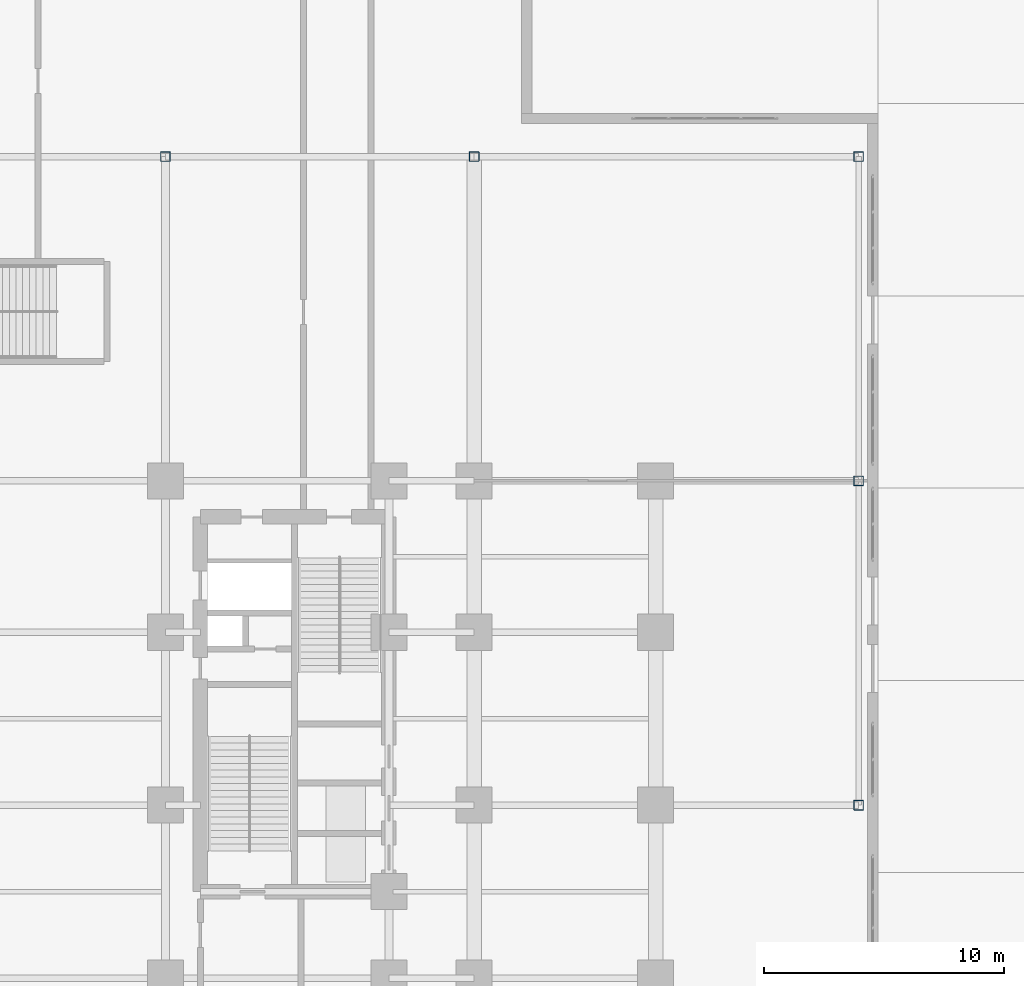
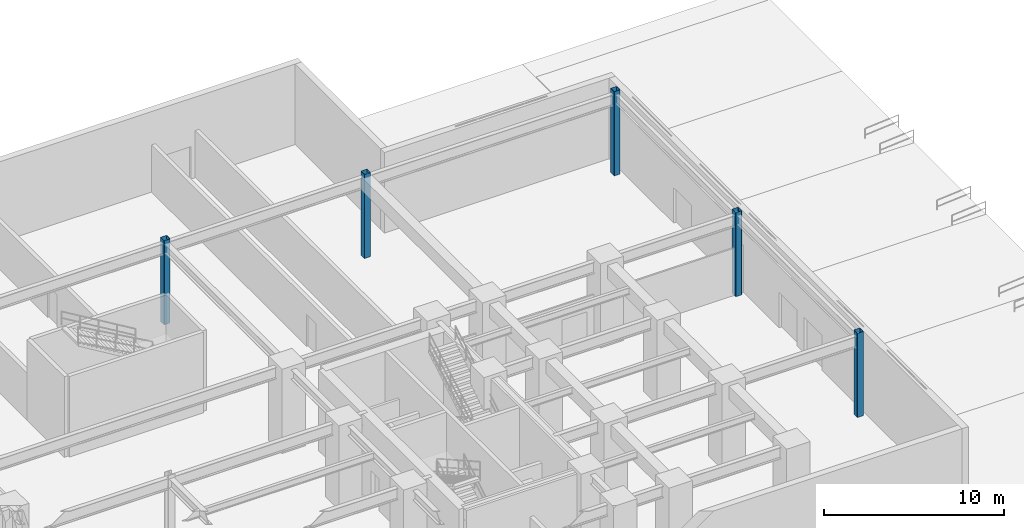
# One storey, part 2 of 18: 5 columns.
"""IFC4 building model written with IfcOpenShell, lengths in metres."""

from ifc_helpers import new_model, entity, si_unit, converted_unit, direction, frame, origin_with_axes, origin_2d_with_axis, place, context, subcontext, project, spatial, hollow_rectangle, extrude, material, material_profile, profile_set, type_object, element, save


model = new_model("IFC4")

# Units and contexts
model_context = context("Model", 3, precision=1e-05, world=origin_with_axes(), true_north=direction((0.0, 1.0)))
body_context = subcontext(model_context, "Body", "Model", "MODEL_VIEW")
ifc_project = project(units=[si_unit("LENGTHUNIT", "METRE"), si_unit("AREAUNIT", "SQUARE_METRE"), si_unit("VOLUMEUNIT", "CUBIC_METRE"), converted_unit("PLANEANGLEUNIT", "DEGREE", entity("IfcPlaneAngleMeasure", 0.017453292519943295), si_unit("PLANEANGLEUNIT", "RADIAN"), dimensions=[0, 0, 0, 0, 0, 0, 0]), si_unit("MASSUNIT", "GRAM", prefix="KILO"), si_unit("THERMODYNAMICTEMPERATUREUNIT", "KELVIN")], contexts=[model_context])

# Site, building, storey
site_placement = place(None, origin_with_axes())
site = spatial("IfcSite", under=ifc_project, at=site_placement, CompositionType="ELEMENT")
building_placement = place(site_placement, origin_with_axes())
building = spatial("IfcBuilding", under=site, at=building_placement, Name="Varnlund Millrace Tower", CompositionType="ELEMENT")
storey_placement = place(building_placement, origin_with_axes())
storey = spatial("IfcBuildingStorey", under=building, at=storey_placement, Name="L00", CompositionType="ELEMENT", Elevation=0.0)

# Columns
ifc_material = material(Name="Steel ASTM A500 Grade C", Category="steel")
ifc_material_profile = material_profile(ifc_material, hollow_rectangle(XDim=0.406, YDim=0.406, WallThickness=0.0147, InnerFilletRadius=0.015, OuterFilletRadius=0.03, at=origin_2d_with_axis()), Name="Steel ASTM A500 Grade C")
ifc_profile_set = profile_set([ifc_material_profile], Name="Steel ASTM A500 Grade C")
column_type = type_object("IfcColumnType", Name="Type-Col-Int-HSS16", PredefinedType="COLUMN", material=ifc_profile_set)
for number, where, z_axis, x_axis, name in (
    (1, (67.6, 10.8, 0.0), (0.0, 0.0, 1.0), (1.0, 0.0, 0.0), "Type-Col-Int-HSS16"),
    (2, (67.6, 24.3, 0.0), (0.0, 0.0, 1.0), (1.0, 0.0, 0.0), "Type-Col-Int-HSS16"),
    (3, (67.6, 37.8, 0.0), (0.0, 0.0, 1.0), (1.0, 0.0, 0.0), "Type-Col-Int-HSS16"),
    (4, (38.75, 37.8, 0.0), (0.0, 0.0, 1.0), (1.0, 0.0, 0.0), "Type-Col-Int-HSS16"),
    (5, (51.6, 37.8, 0.0), (0.0, 0.0, 1.0), (1.0, 0.0, 0.0), "Type-Col-Int-HSS16"),
):
    element("IfcColumn", number, at=place(storey_placement, frame(where, z_axis=z_axis, x_axis=x_axis)), inside=storey, type_object=column_type, Name=name, PredefinedType="COLUMN", context=body_context, shape_type="SweptSolid", body=[
        extrude(hollow_rectangle(XDim=0.406, YDim=0.406, WallThickness=0.0147, InnerFilletRadius=0.015, OuterFilletRadius=0.03, at=origin_2d_with_axis()), origin_with_axes(), (0.0, 0.0, 1.0), 5.7),
    ])

save(model, "model.ifc")
